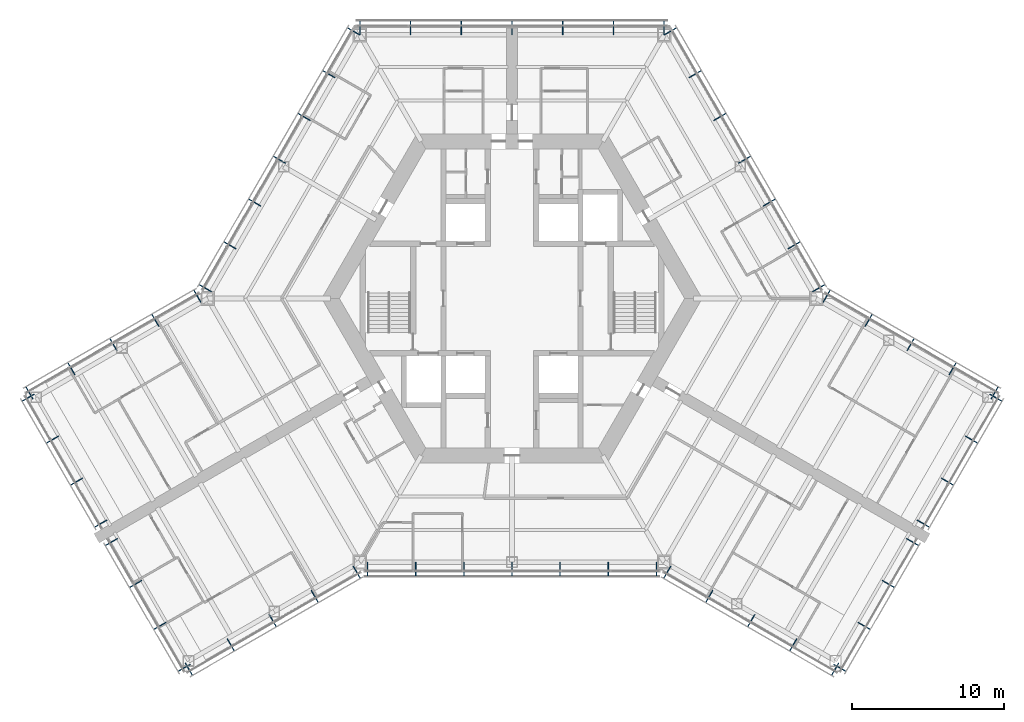
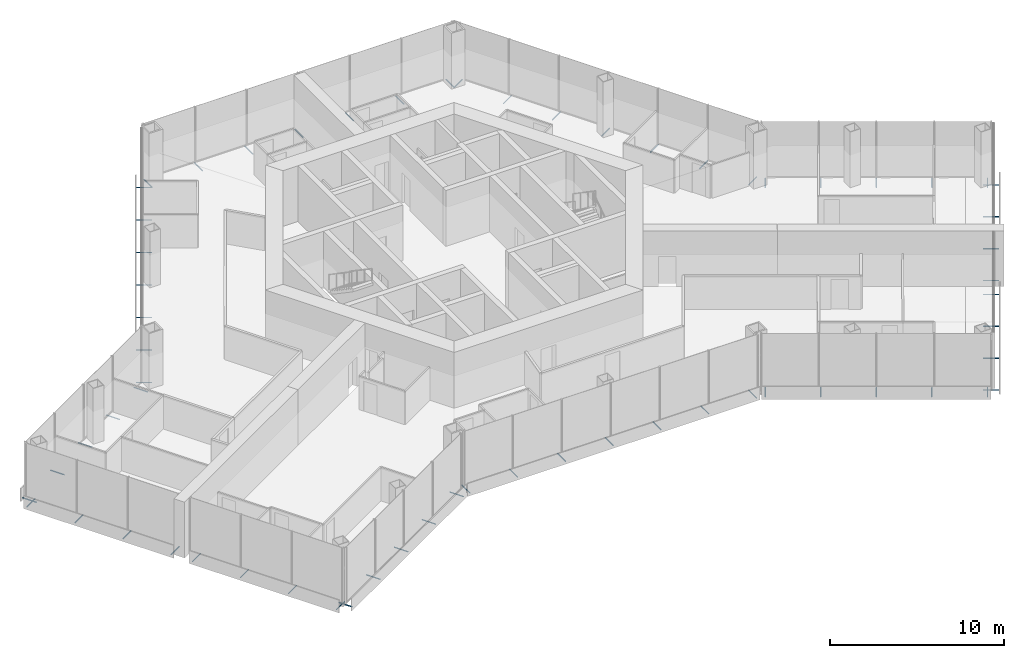
# One storey, part 16 of 18: 64 discrete accessories.
"""IFC4 building model written with IfcOpenShell, lengths in metres."""

from ifc_helpers import new_model, si_unit, direction, frame, origin, origin_2d, place, context, subcontext, project, spatial, hollow_circle, extrude, material, material_profile, profile_set, type_object, element, save


model = new_model("IFC4")

# Units and contexts
model_context = context("Model", 3, precision=1e-05, world=origin(), true_north=direction((0.0, 1.0)))
body_context = subcontext(model_context, "Body", "Model", "MODEL_VIEW")
ifc_project = project(units=[si_unit("LENGTHUNIT", "METRE"), si_unit("AREAUNIT", "SQUARE_METRE"), si_unit("VOLUMEUNIT", "CUBIC_METRE"), si_unit("PLANEANGLEUNIT", "RADIAN"), si_unit("MASSUNIT", "GRAM", prefix="KILO")], contexts=[model_context])

# Site, building, storey
site_placement = place(None, origin())
site = spatial("IfcSite", under=ifc_project, at=site_placement, CompositionType="ELEMENT")
building_placement = place(site_placement, origin())
building = spatial("IfcBuilding", under=site, at=building_placement, Name="Kasaneha Research Tower", CompositionType="ELEMENT")
storey_placement = place(building_placement, frame((0.0, 0.0, 199.39990234375)))
storey = spatial("IfcBuildingStorey", under=building, at=storey_placement, Name="L50", CompositionType="ELEMENT", Elevation=199.39990234375)

# Discrete accessories
ifc_material = material(Name="Steel STK400", Category="steel")
ifc_material_profile = material_profile(ifc_material, hollow_circle(Radius=0.0380859375, WallThickness=0.00390625, at=origin_2d()), Name="CHS-76.3x4.0")
ifc_profile_set = profile_set([ifc_material_profile], Name="Steel STK400")
discrete_accessory_type = type_object("IfcDiscreteAccessoryType", Name="Screen bracket CHS-76.3x4.0", PredefinedType="BRACKET", material=ifc_profile_set)
for number, where, z_axis, x_axis, name in (
    (1, (-9.4892578125, -17.320556640625, -0.2998046875), (0.0, -1.0, 0.0), (1.0, 0.0, 0.0), "Screen bracket 1"),
    (2, (-6.326171875, -17.320556640625, -0.2998046875), (0.0, -1.0, 0.0), (1.0, 0.0, 0.0), "Screen bracket 2"),
    (3, (-3.1630859375, -17.320556640625, -0.2998046875), (0.0, -1.0, 0.0), (1.0, 0.0, 0.0), "Screen bracket 3"),
    (4, (0.0, -17.320556640625, -0.2998046875), (0.0, -1.0, 0.0), (1.0, 0.0, 0.0), "Screen bracket 4"),
    (5, (3.1630859375, -17.320556640625, -0.2998046875), (0.0, -1.0, 0.0), (1.0, 0.0, 0.0), "Screen bracket 5"),
    (6, (6.326171875, -17.320556640625, -0.2998046875), (0.0, -1.0, 0.0), (1.0, 0.0, 0.0), "Screen bracket 6"),
    (7, (9.4892578125, -17.320556640625, -0.2998046875), (0.0, -1.0, 0.0), (1.0, 0.0, 0.0), "Screen bracket 7"),
    (8, (10.4423828125, -17.575927734375, -0.2998046875), (-0.500021113727, -0.866013213425, 0.0), (0.866013213425, -0.500021113727, 0.0), "Screen bracket 1"),
):
    element("IfcDiscreteAccessory", number, at=place(storey_placement, frame(where, z_axis=z_axis, x_axis=x_axis)), inside=storey, type_object=discrete_accessory_type, Name=name, PredefinedType="BRACKET", context=body_context, shape_type="SweptSolid", body=[
        extrude(hollow_circle(Radius=0.0380859375, WallThickness=0.00390625, at=origin_2d()), origin(), (0.0, 0.0, 1.0), 0.919921875),
    ])
discrete_accessory_1_placement = place(storey_placement, frame((13.200439453125, -19.168212890625, -0.2998046875), z_axis=(-0.499906209203, -0.866079547155, 0.0), x_axis=(0.866079547155, -0.499906209203, 0.0)))
element("IfcDiscreteAccessory", 9, at=discrete_accessory_1_placement, inside=storey, type_object=discrete_accessory_type, Name="Screen bracket 2", PredefinedType="BRACKET", context=body_context, shape_type="SweptSolid", body=[
    extrude(hollow_circle(Radius=0.0380859375, WallThickness=0.00390625, at=origin_2d()), origin(), (0.0, 0.0, 1.0), 0.920166015625),
])
discrete_accessory_2_placement = place(storey_placement, frame((15.95849609375, -20.7607421875, -0.2998046875), z_axis=(-0.500021113727, -0.866013213425, 0.0), x_axis=(0.866013213425, -0.500021113727, 0.0)))
element("IfcDiscreteAccessory", 10, at=discrete_accessory_2_placement, inside=storey, type_object=discrete_accessory_type, Name="Screen bracket 3", PredefinedType="BRACKET", context=body_context, shape_type="SweptSolid", body=[
    extrude(hollow_circle(Radius=0.0380859375, WallThickness=0.00390625, at=origin_2d()), origin(), (0.0, 0.0, 1.0), 0.919921875),
])
discrete_accessory_3_placement = place(storey_placement, frame((18.716796875, -22.35302734375, -0.2998046875), z_axis=(-0.500105201737, -0.865964657013, 0.0), x_axis=(0.865964657013, -0.500105201737, 0.0)))
element("IfcDiscreteAccessory", 11, at=discrete_accessory_3_placement, inside=storey, type_object=discrete_accessory_type, Name="Screen bracket 4", PredefinedType="BRACKET", context=body_context, shape_type="SweptSolid", body=[
    extrude(hollow_circle(Radius=0.0380859375, WallThickness=0.00390625, at=origin_2d()), origin(), (0.0, 0.0, 1.0), 0.920166015625),
])
discrete_accessory_4_placement = place(storey_placement, frame((21.474853515625, -23.945556640625, -0.2998046875), z_axis=(-0.500021113727, -0.866013213425, 0.0), x_axis=(0.866013213425, -0.500021113727, 0.0)))
element("IfcDiscreteAccessory", 12, at=discrete_accessory_4_placement, inside=storey, type_object=discrete_accessory_type, Name="Screen bracket 5", PredefinedType="BRACKET", context=body_context, shape_type="SweptSolid", body=[
    extrude(hollow_circle(Radius=0.0380859375, WallThickness=0.00390625, at=origin_2d()), origin(), (0.0, 0.0, 1.0), 0.919921875),
])
discrete_accessory_5_placement = place(storey_placement, frame((21.13330078125, -24.037109375, -0.2998046875), z_axis=(0.866079547155, -0.499906209203, 0.0), x_axis=(0.499906209203, 0.866079547155, 0.0)))
element("IfcDiscreteAccessory", 13, at=discrete_accessory_5_placement, inside=storey, type_object=discrete_accessory_type, Name="Screen bracket 1", PredefinedType="BRACKET", context=body_context, shape_type="SweptSolid", body=[
    extrude(hollow_circle(Radius=0.0380859375, WallThickness=0.00390625, at=origin_2d()), origin(), (0.0, 0.0, 1.0), 0.920166015625),
])
discrete_accessory_6_placement = place(storey_placement, frame((22.72509765625, -21.2802734375, -0.2998046875), z_axis=(0.866013213425, -0.500021113727, 0.0), x_axis=(0.500021113727, 0.866013213425, 0.0)))
element("IfcDiscreteAccessory", 14, at=discrete_accessory_6_placement, inside=storey, type_object=discrete_accessory_type, Name="Screen bracket 2", PredefinedType="BRACKET", context=body_context, shape_type="SweptSolid", body=[
    extrude(hollow_circle(Radius=0.0380859375, WallThickness=0.00390625, at=origin_2d()), origin(), (0.0, 0.0, 1.0), 0.919921875),
])
discrete_accessory_7_placement = place(storey_placement, frame((24.316650390625, -18.5234375, -0.2998046875), z_axis=(0.866079547155, -0.499906209203, 0.0), x_axis=(0.499906209203, 0.866079547155, 0.0)))
element("IfcDiscreteAccessory", 15, at=discrete_accessory_7_placement, inside=storey, type_object=discrete_accessory_type, Name="Screen bracket 3", PredefinedType="BRACKET", context=body_context, shape_type="SweptSolid", body=[
    extrude(hollow_circle(Radius=0.0380859375, WallThickness=0.00390625, at=origin_2d()), origin(), (0.0, 0.0, 1.0), 0.920166015625),
])
for number, where, z_axis, x_axis, name in (
    (16, (25.908447265625, -15.766357421875, -0.2998046875), (0.865898279276, -0.500220121494, 0.0), (0.500220121494, 0.865898279276, 0.0), "Screen bracket 4"),
    (17, (26.6083984375, -14.553955078125, -0.2998046875), (0.866013213425, -0.500021113727, 0.0), (0.500021113727, 0.866013213425, 0.0), "Screen bracket 1"),
):
    element("IfcDiscreteAccessory", number, at=place(storey_placement, frame(where, z_axis=z_axis, x_axis=x_axis)), inside=storey, type_object=discrete_accessory_type, Name=name, PredefinedType="BRACKET", context=body_context, shape_type="SweptSolid", body=[
        extrude(hollow_circle(Radius=0.0380859375, WallThickness=0.00390625, at=origin_2d()), origin(), (0.0, 0.0, 1.0), 0.919921875),
    ])
discrete_accessory_8_placement = place(storey_placement, frame((28.199951171875, -11.797119140625, -0.2998046875), z_axis=(0.866079547155, -0.499906209203, 0.0), x_axis=(0.499906209203, 0.866079547155, 0.0)))
element("IfcDiscreteAccessory", 18, at=discrete_accessory_8_placement, inside=storey, type_object=discrete_accessory_type, Name="Screen bracket 2", PredefinedType="BRACKET", context=body_context, shape_type="SweptSolid", body=[
    extrude(hollow_circle(Radius=0.0380859375, WallThickness=0.00390625, at=origin_2d()), origin(), (0.0, 0.0, 1.0), 0.920166015625),
])
discrete_accessory_9_placement = place(storey_placement, frame((29.791748046875, -9.040283203125, -0.2998046875), z_axis=(0.866013213425, -0.500021113727, 0.0), x_axis=(0.500021113727, 0.866013213425, 0.0)))
element("IfcDiscreteAccessory", 19, at=discrete_accessory_9_placement, inside=storey, type_object=discrete_accessory_type, Name="Screen bracket 3", PredefinedType="BRACKET", context=body_context, shape_type="SweptSolid", body=[
    extrude(hollow_circle(Radius=0.0380859375, WallThickness=0.00390625, at=origin_2d()), origin(), (0.0, 0.0, 1.0), 0.919921875),
])
discrete_accessory_10_placement = place(storey_placement, frame((31.38330078125, -6.283447265625, -0.2998046875), z_axis=(0.866079547155, -0.499906209203, 0.0), x_axis=(0.499906209203, 0.866079547155, 0.0)))
element("IfcDiscreteAccessory", 20, at=discrete_accessory_10_placement, inside=storey, type_object=discrete_accessory_type, Name="Screen bracket 4", PredefinedType="BRACKET", context=body_context, shape_type="SweptSolid", body=[
    extrude(hollow_circle(Radius=0.0380859375, WallThickness=0.00390625, at=origin_2d()), origin(), (0.0, 0.0, 1.0), 0.920166015625),
])
discrete_accessory_11_placement = place(storey_placement, frame((31.474853515625, -6.625, -0.2998046875), z_axis=(0.500021113727, 0.866013213425, 0.0), x_axis=(-0.866013213425, 0.500021113727, 0.0)))
element("IfcDiscreteAccessory", 21, at=discrete_accessory_11_placement, inside=storey, type_object=discrete_accessory_type, Name="Screen bracket 1", PredefinedType="BRACKET", context=body_context, shape_type="SweptSolid", body=[
    extrude(hollow_circle(Radius=0.0380859375, WallThickness=0.00390625, at=origin_2d()), origin(), (0.0, 0.0, 1.0), 0.919921875),
])
discrete_accessory_12_placement = place(storey_placement, frame((28.716796875, -5.03271484375, -0.2998046875), z_axis=(0.499906209203, 0.866079547155, 0.0), x_axis=(-0.866079547155, 0.499906209203, 0.0)))
element("IfcDiscreteAccessory", 22, at=discrete_accessory_12_placement, inside=storey, type_object=discrete_accessory_type, Name="Screen bracket 2", PredefinedType="BRACKET", context=body_context, shape_type="SweptSolid", body=[
    extrude(hollow_circle(Radius=0.0380859375, WallThickness=0.00390625, at=origin_2d()), origin(), (0.0, 0.0, 1.0), 0.920166015625),
])
discrete_accessory_13_placement = place(storey_placement, frame((25.95849609375, -3.440185546875, -0.2998046875), z_axis=(0.500220121494, 0.865898279276, 0.0), x_axis=(-0.865898279276, 0.500220121494, 0.0)))
element("IfcDiscreteAccessory", 23, at=discrete_accessory_13_placement, inside=storey, type_object=discrete_accessory_type, Name="Screen bracket 3", PredefinedType="BRACKET", context=body_context, shape_type="SweptSolid", body=[
    extrude(hollow_circle(Radius=0.0380859375, WallThickness=0.00390625, at=origin_2d()), origin(), (0.0, 0.0, 1.0), 0.919921875),
])
discrete_accessory_14_placement = place(storey_placement, frame((23.200439453125, -1.847900390625, -0.2998046875), z_axis=(0.499906209203, 0.866079547155, 0.0), x_axis=(-0.866079547155, 0.499906209203, 0.0)))
element("IfcDiscreteAccessory", 24, at=discrete_accessory_14_placement, inside=storey, type_object=discrete_accessory_type, Name="Screen bracket 4", PredefinedType="BRACKET", context=body_context, shape_type="SweptSolid", body=[
    extrude(hollow_circle(Radius=0.0380859375, WallThickness=0.00390625, at=origin_2d()), origin(), (0.0, 0.0, 1.0), 0.920166015625),
])
for number, where, z_axis, x_axis, name in (
    (25, (20.4423828125, -0.25537109375, -0.2998046875), (0.500021113727, 0.866013213425, 0.0), (-0.866013213425, 0.500021113727, 0.0), "Screen bracket 5"),
    (26, (19.74462890625, 0.4423828125, -0.2998046875), (0.866013213425, 0.500021113727, 0.0), (-0.500021113727, 0.866013213425, 0.0), "Screen bracket 1"),
    (27, (18.120849609375, 3.2548828125, -0.2998046875), (0.866013213425, 0.500021113727, 0.0), (-0.500021113727, 0.866013213425, 0.0), "Screen bracket 2"),
    (28, (16.4970703125, 6.0673828125, -0.2998046875), (0.866013213425, 0.500021113727, 0.0), (-0.500021113727, 0.866013213425, 0.0), "Screen bracket 3"),
    (29, (14.873291015625, 8.8798828125, -0.2998046875), (0.866013213425, 0.500021113727, 0.0), (-0.500021113727, 0.866013213425, 0.0), "Screen bracket 4"),
    (30, (13.24951171875, 11.6923828125, -0.2998046875), (0.866013213425, 0.500021113727, 0.0), (-0.500021113727, 0.866013213425, 0.0), "Screen bracket 5"),
):
    element("IfcDiscreteAccessory", number, at=place(storey_placement, frame(where, z_axis=z_axis, x_axis=x_axis)), inside=storey, type_object=discrete_accessory_type, Name=name, PredefinedType="BRACKET", context=body_context, shape_type="SweptSolid", body=[
        extrude(hollow_circle(Radius=0.0380859375, WallThickness=0.00390625, at=origin_2d()), origin(), (0.0, 0.0, 1.0), 0.919921875),
    ])
for number, where, z_axis, x_axis, name in (
    (31, (11.62548828125, 14.5048828125, -0.2998046875), (0.866079547155, 0.499906209203, 0.0), (-0.499906209203, 0.866079547155, 0.0), "Screen bracket 6"),
    (32, (10.001708984375, 17.3173828125, -0.2998046875), (0.866079547155, 0.499906209203, 0.0), (-0.499906209203, 0.866079547155, 0.0), "Screen bracket 7"),
):
    element("IfcDiscreteAccessory", number, at=place(storey_placement, frame(where, z_axis=z_axis, x_axis=x_axis)), inside=storey, type_object=discrete_accessory_type, Name=name, PredefinedType="BRACKET", context=body_context, shape_type="SweptSolid", body=[
        extrude(hollow_circle(Radius=0.0380859375, WallThickness=0.00390625, at=origin_2d()), origin(), (0.0, 0.0, 1.0), 0.920166015625),
    ])
for number, where, z_axis, x_axis, name in (
    (33, (9.996337890625, 17.320556640625, -0.2998046875), (0.0, 1.0, 0.0), (-1.0, 0.0, 0.0), "Screen bracket 1"),
    (34, (6.664306640625, 17.320556640625, -0.2998046875), (0.0, 1.0, 0.0), (-1.0, 0.0, 0.0), "Screen bracket 2"),
    (35, (3.33203125, 17.320556640625, -0.2998046875), (0.0, 1.0, 0.0), (-1.0, 0.0, 0.0), "Screen bracket 3"),
    (36, (0.0, 17.320556640625, -0.2998046875), (0.0, 1.0, 0.0), (-1.0, 0.0, 0.0), "Screen bracket 4"),
    (37, (-3.33203125, 17.320556640625, -0.2998046875), (0.0, 1.0, 0.0), (-1.0, 0.0, 0.0), "Screen bracket 5"),
    (38, (-6.664306640625, 17.320556640625, -0.2998046875), (0.0, 1.0, 0.0), (-1.0, 0.0, 0.0), "Screen bracket 6"),
    (39, (-9.996337890625, 17.320556640625, -0.2998046875), (0.0, 1.0, 0.0), (-1.0, 0.0, 0.0), "Screen bracket 7"),
):
    element("IfcDiscreteAccessory", number, at=place(storey_placement, frame(where, z_axis=z_axis, x_axis=x_axis)), inside=storey, type_object=discrete_accessory_type, Name=name, PredefinedType="BRACKET", context=body_context, shape_type="SweptSolid", body=[
        extrude(hollow_circle(Radius=0.0380859375, WallThickness=0.00390625, at=origin_2d()), origin(), (0.0, 0.0, 1.0), 0.919921875),
    ])
for number, where, z_axis, x_axis, name in (
    (40, (-10.001708984375, 17.3173828125, -0.2998046875), (-0.866079547155, 0.499906209203, 0.0), (-0.499906209203, -0.866079547155, 0.0), "Screen bracket 1"),
    (41, (-11.62548828125, 14.5048828125, -0.2998046875), (-0.866079547155, 0.499906209203, 0.0), (-0.499906209203, -0.866079547155, 0.0), "Screen bracket 2"),
):
    element("IfcDiscreteAccessory", number, at=place(storey_placement, frame(where, z_axis=z_axis, x_axis=x_axis)), inside=storey, type_object=discrete_accessory_type, Name=name, PredefinedType="BRACKET", context=body_context, shape_type="SweptSolid", body=[
        extrude(hollow_circle(Radius=0.0380859375, WallThickness=0.00390625, at=origin_2d()), origin(), (0.0, 0.0, 1.0), 0.920166015625),
    ])
for number, where, z_axis, x_axis, name in (
    (42, (-13.24951171875, 11.6923828125, -0.2998046875), (-0.866013213425, 0.500021113727, 0.0), (-0.500021113727, -0.866013213425, 0.0), "Screen bracket 3"),
    (43, (-14.873291015625, 8.8798828125, -0.2998046875), (-0.866013213425, 0.500021113727, 0.0), (-0.500021113727, -0.866013213425, 0.0), "Screen bracket 4"),
    (44, (-16.4970703125, 6.0673828125, -0.2998046875), (-0.866013213425, 0.500021113727, 0.0), (-0.500021113727, -0.866013213425, 0.0), "Screen bracket 5"),
    (45, (-18.120849609375, 3.2548828125, -0.2998046875), (-0.866013213425, 0.500021113727, 0.0), (-0.500021113727, -0.866013213425, 0.0), "Screen bracket 6"),
    (46, (-19.74462890625, 0.4423828125, -0.2998046875), (-0.866013213425, 0.500021113727, 0.0), (-0.500021113727, -0.866013213425, 0.0), "Screen bracket 7"),
    (47, (-20.4423828125, -0.25537109375, -0.2998046875), (-0.500021113727, 0.866013213425, 0.0), (-0.866013213425, -0.500021113727, 0.0), "Screen bracket 1"),
):
    element("IfcDiscreteAccessory", number, at=place(storey_placement, frame(where, z_axis=z_axis, x_axis=x_axis)), inside=storey, type_object=discrete_accessory_type, Name=name, PredefinedType="BRACKET", context=body_context, shape_type="SweptSolid", body=[
        extrude(hollow_circle(Radius=0.0380859375, WallThickness=0.00390625, at=origin_2d()), origin(), (0.0, 0.0, 1.0), 0.919921875),
    ])
discrete_accessory_15_placement = place(storey_placement, frame((-23.200439453125, -1.847900390625, -0.2998046875), z_axis=(-0.499906209203, 0.866079547155, 0.0), x_axis=(-0.866079547155, -0.499906209203, 0.0)))
element("IfcDiscreteAccessory", 48, at=discrete_accessory_15_placement, inside=storey, type_object=discrete_accessory_type, Name="Screen bracket 2", PredefinedType="BRACKET", context=body_context, shape_type="SweptSolid", body=[
    extrude(hollow_circle(Radius=0.0380859375, WallThickness=0.00390625, at=origin_2d()), origin(), (0.0, 0.0, 1.0), 0.920166015625),
])
discrete_accessory_16_placement = place(storey_placement, frame((-25.95849609375, -3.440185546875, -0.2998046875), z_axis=(-0.500220121494, 0.865898279276, 0.0), x_axis=(-0.865898279276, -0.500220121494, 0.0)))
element("IfcDiscreteAccessory", 49, at=discrete_accessory_16_placement, inside=storey, type_object=discrete_accessory_type, Name="Screen bracket 3", PredefinedType="BRACKET", context=body_context, shape_type="SweptSolid", body=[
    extrude(hollow_circle(Radius=0.0380859375, WallThickness=0.00390625, at=origin_2d()), origin(), (0.0, 0.0, 1.0), 0.919921875),
])
discrete_accessory_17_placement = place(storey_placement, frame((-28.716796875, -5.03271484375, -0.2998046875), z_axis=(-0.499906209203, 0.866079547155, 0.0), x_axis=(-0.866079547155, -0.499906209203, 0.0)))
element("IfcDiscreteAccessory", 50, at=discrete_accessory_17_placement, inside=storey, type_object=discrete_accessory_type, Name="Screen bracket 4", PredefinedType="BRACKET", context=body_context, shape_type="SweptSolid", body=[
    extrude(hollow_circle(Radius=0.0380859375, WallThickness=0.00390625, at=origin_2d()), origin(), (0.0, 0.0, 1.0), 0.920166015625),
])
discrete_accessory_18_placement = place(storey_placement, frame((-31.474853515625, -6.625, -0.2998046875), z_axis=(-0.500021113727, 0.866013213425, 0.0), x_axis=(-0.866013213425, -0.500021113727, 0.0)))
element("IfcDiscreteAccessory", 51, at=discrete_accessory_18_placement, inside=storey, type_object=discrete_accessory_type, Name="Screen bracket 5", PredefinedType="BRACKET", context=body_context, shape_type="SweptSolid", body=[
    extrude(hollow_circle(Radius=0.0380859375, WallThickness=0.00390625, at=origin_2d()), origin(), (0.0, 0.0, 1.0), 0.919921875),
])
discrete_accessory_19_placement = place(storey_placement, frame((-31.38330078125, -6.283447265625, -0.2998046875), z_axis=(-0.866079547155, -0.499906209203, 0.0), x_axis=(0.499906209203, -0.866079547155, 0.0)))
element("IfcDiscreteAccessory", 52, at=discrete_accessory_19_placement, inside=storey, type_object=discrete_accessory_type, Name="Screen bracket 1", PredefinedType="BRACKET", context=body_context, shape_type="SweptSolid", body=[
    extrude(hollow_circle(Radius=0.0380859375, WallThickness=0.00390625, at=origin_2d()), origin(), (0.0, 0.0, 1.0), 0.920166015625),
])
discrete_accessory_20_placement = place(storey_placement, frame((-29.791748046875, -9.040283203125, -0.2998046875), z_axis=(-0.866013213425, -0.500021113727, 0.0), x_axis=(0.500021113727, -0.866013213425, 0.0)))
element("IfcDiscreteAccessory", 53, at=discrete_accessory_20_placement, inside=storey, type_object=discrete_accessory_type, Name="Screen bracket 2", PredefinedType="BRACKET", context=body_context, shape_type="SweptSolid", body=[
    extrude(hollow_circle(Radius=0.0380859375, WallThickness=0.00390625, at=origin_2d()), origin(), (0.0, 0.0, 1.0), 0.919921875),
])
discrete_accessory_21_placement = place(storey_placement, frame((-28.199951171875, -11.797119140625, -0.2998046875), z_axis=(-0.866079547155, -0.499906209203, 0.0), x_axis=(0.499906209203, -0.866079547155, 0.0)))
element("IfcDiscreteAccessory", 54, at=discrete_accessory_21_placement, inside=storey, type_object=discrete_accessory_type, Name="Screen bracket 3", PredefinedType="BRACKET", context=body_context, shape_type="SweptSolid", body=[
    extrude(hollow_circle(Radius=0.0380859375, WallThickness=0.00390625, at=origin_2d()), origin(), (0.0, 0.0, 1.0), 0.920166015625),
])
for number, where, z_axis, x_axis, name in (
    (55, (-26.6083984375, -14.553955078125, -0.2998046875), (-0.866013213425, -0.500021113727, 0.0), (0.500021113727, -0.866013213425, 0.0), "Screen bracket 4"),
    (56, (-25.908447265625, -15.766357421875, -0.2998046875), (-0.865898279276, -0.500220121494, 0.0), (0.500220121494, -0.865898279276, 0.0), "Screen bracket 1"),
):
    element("IfcDiscreteAccessory", number, at=place(storey_placement, frame(where, z_axis=z_axis, x_axis=x_axis)), inside=storey, type_object=discrete_accessory_type, Name=name, PredefinedType="BRACKET", context=body_context, shape_type="SweptSolid", body=[
        extrude(hollow_circle(Radius=0.0380859375, WallThickness=0.00390625, at=origin_2d()), origin(), (0.0, 0.0, 1.0), 0.919921875),
    ])
discrete_accessory_22_placement = place(storey_placement, frame((-24.316650390625, -18.5234375, -0.2998046875), z_axis=(-0.866079547155, -0.499906209203, 0.0), x_axis=(0.499906209203, -0.866079547155, 0.0)))
element("IfcDiscreteAccessory", 57, at=discrete_accessory_22_placement, inside=storey, type_object=discrete_accessory_type, Name="Screen bracket 2", PredefinedType="BRACKET", context=body_context, shape_type="SweptSolid", body=[
    extrude(hollow_circle(Radius=0.0380859375, WallThickness=0.00390625, at=origin_2d()), origin(), (0.0, 0.0, 1.0), 0.920166015625),
])
discrete_accessory_23_placement = place(storey_placement, frame((-22.72509765625, -21.2802734375, -0.2998046875), z_axis=(-0.866013213425, -0.500021113727, 0.0), x_axis=(0.500021113727, -0.866013213425, 0.0)))
element("IfcDiscreteAccessory", 58, at=discrete_accessory_23_placement, inside=storey, type_object=discrete_accessory_type, Name="Screen bracket 3", PredefinedType="BRACKET", context=body_context, shape_type="SweptSolid", body=[
    extrude(hollow_circle(Radius=0.0380859375, WallThickness=0.00390625, at=origin_2d()), origin(), (0.0, 0.0, 1.0), 0.919921875),
])
discrete_accessory_24_placement = place(storey_placement, frame((-21.13330078125, -24.037109375, -0.2998046875), z_axis=(-0.866079547155, -0.499906209203, 0.0), x_axis=(0.499906209203, -0.866079547155, 0.0)))
element("IfcDiscreteAccessory", 59, at=discrete_accessory_24_placement, inside=storey, type_object=discrete_accessory_type, Name="Screen bracket 4", PredefinedType="BRACKET", context=body_context, shape_type="SweptSolid", body=[
    extrude(hollow_circle(Radius=0.0380859375, WallThickness=0.00390625, at=origin_2d()), origin(), (0.0, 0.0, 1.0), 0.920166015625),
])
discrete_accessory_25_placement = place(storey_placement, frame((-21.474853515625, -23.945556640625, -0.2998046875), z_axis=(0.500021113727, -0.866013213425, 0.0), x_axis=(0.866013213425, 0.500021113727, 0.0)))
element("IfcDiscreteAccessory", 60, at=discrete_accessory_25_placement, inside=storey, type_object=discrete_accessory_type, Name="Screen bracket 1", PredefinedType="BRACKET", context=body_context, shape_type="SweptSolid", body=[
    extrude(hollow_circle(Radius=0.0380859375, WallThickness=0.00390625, at=origin_2d()), origin(), (0.0, 0.0, 1.0), 0.919921875),
])
discrete_accessory_26_placement = place(storey_placement, frame((-18.716796875, -22.35302734375, -0.2998046875), z_axis=(0.500105201737, -0.865964657013, 0.0), x_axis=(0.865964657013, 0.500105201737, 0.0)))
element("IfcDiscreteAccessory", 61, at=discrete_accessory_26_placement, inside=storey, type_object=discrete_accessory_type, Name="Screen bracket 2", PredefinedType="BRACKET", context=body_context, shape_type="SweptSolid", body=[
    extrude(hollow_circle(Radius=0.0380859375, WallThickness=0.00390625, at=origin_2d()), origin(), (0.0, 0.0, 1.0), 0.920166015625),
])
discrete_accessory_27_placement = place(storey_placement, frame((-15.95849609375, -20.7607421875, -0.2998046875), z_axis=(0.500021113727, -0.866013213425, 0.0), x_axis=(0.866013213425, 0.500021113727, 0.0)))
element("IfcDiscreteAccessory", 62, at=discrete_accessory_27_placement, inside=storey, type_object=discrete_accessory_type, Name="Screen bracket 3", PredefinedType="BRACKET", context=body_context, shape_type="SweptSolid", body=[
    extrude(hollow_circle(Radius=0.0380859375, WallThickness=0.00390625, at=origin_2d()), origin(), (0.0, 0.0, 1.0), 0.919921875),
])
discrete_accessory_28_placement = place(storey_placement, frame((-13.200439453125, -19.168212890625, -0.2998046875), z_axis=(0.499906209203, -0.866079547155, 0.0), x_axis=(0.866079547155, 0.499906209203, 0.0)))
element("IfcDiscreteAccessory", 63, at=discrete_accessory_28_placement, inside=storey, type_object=discrete_accessory_type, Name="Screen bracket 4", PredefinedType="BRACKET", context=body_context, shape_type="SweptSolid", body=[
    extrude(hollow_circle(Radius=0.0380859375, WallThickness=0.00390625, at=origin_2d()), origin(), (0.0, 0.0, 1.0), 0.920166015625),
])
discrete_accessory_29_placement = place(storey_placement, frame((-10.4423828125, -17.575927734375, -0.2998046875), z_axis=(0.500021113727, -0.866013213425, 0.0), x_axis=(0.866013213425, 0.500021113727, 0.0)))
element("IfcDiscreteAccessory", 64, at=discrete_accessory_29_placement, inside=storey, type_object=discrete_accessory_type, Name="Screen bracket 5", PredefinedType="BRACKET", context=body_context, shape_type="SweptSolid", body=[
    extrude(hollow_circle(Radius=0.0380859375, WallThickness=0.00390625, at=origin_2d()), origin(), (0.0, 0.0, 1.0), 0.919921875),
])

save(model, "model.ifc")
